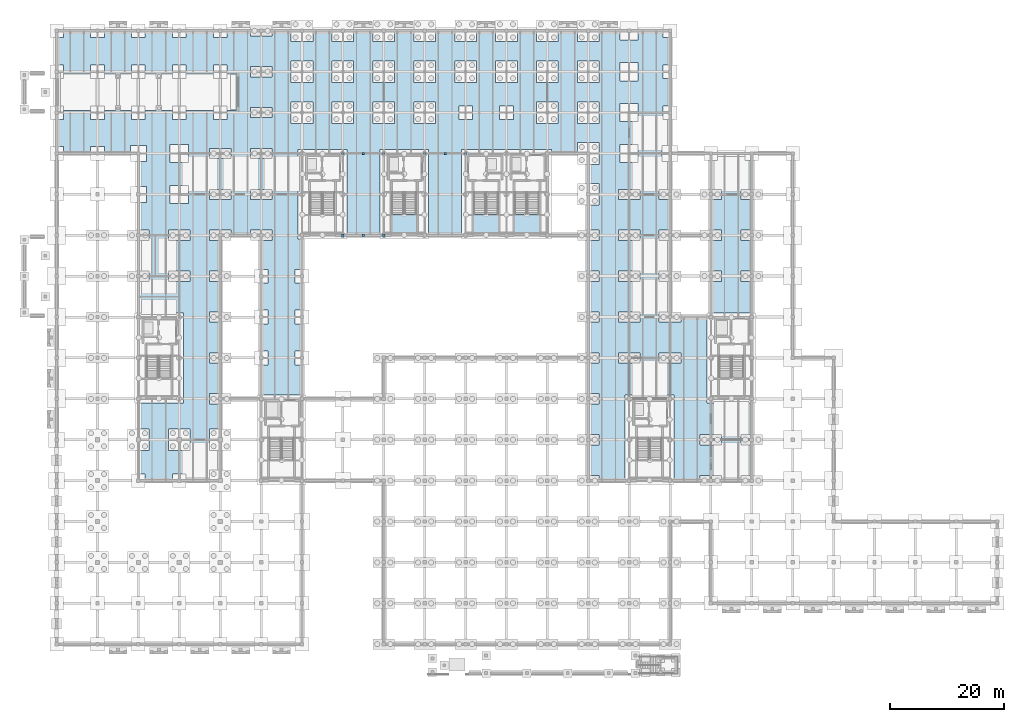
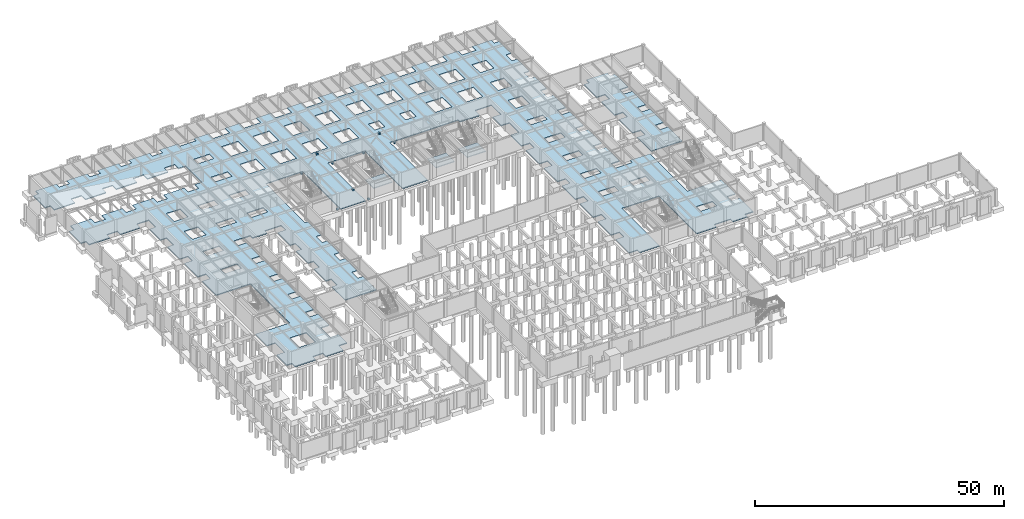
# One storey, part 29 of 46: 9 plates, 5 slabs, 3 elements without a shape of their own.
"""IFC4 building model written with IfcOpenShell, lengths in metres."""

import ifcopenshell
import ifcopenshell.guid

model = None  # the IFC model being written
_history = None  # IfcOwnerHistory: only IFC2X3 demands one
_inside = {}  # id of a spatial element -> (the spatial element, [elements in it])
_under = {}  # id of a project, library or spatial element -> (it, [spatial elements below it])
_declared = {}  # id of a project -> (the project, [libraries it declares])
_typed = {}  # id of a type object -> (the type object, [elements of that type])
_made_of = {}  # id of a material, layer set ... -> (it, [elements and type objects made of it])


def new_model(schema):
    """Start an empty IFC model of exactly this schema.

    Asked for "IFC4X3", IfcOpenShell would pick the latest addendum, in which some entities
    have other attributes; the version numbers below select the first issue.
    IFC2X3 requires an IfcOwnerHistory on every rooted entity: one is made here for all.
    """
    global model, _history
    if schema == "IFC4X3":
        model = ifcopenshell.file(schema_version=(4, 3, 0, 0))
    else:
        model = ifcopenshell.file(schema=schema)
    _inside.clear()
    _under.clear()
    _declared.clear()
    _typed.clear()
    _made_of.clear()
    _history = None
    if model.schema == "IFC2X3":
        org = make("IfcOrganization", Name="unknown")
        user = make(
            "IfcPersonAndOrganization",
            ThePerson=make("IfcPerson", FamilyName="unknown"),
            TheOrganization=org,
        )
        app = make(
            "IfcApplication",
            ApplicationDeveloper=org,
            Version="unknown",
            ApplicationFullName="unknown",
            ApplicationIdentifier="unknown",
        )
        _history = make(
            "IfcOwnerHistory",
            OwningUser=user,
            OwningApplication=app,
            ChangeAction="ADDED",
            CreationDate=0,
        )
    return model


def make(cls, **values):
    """One entity of the class cls with the attributes given. An attribute that is None is left unset."""
    return model.create_entity(
        cls, **{name: value for name, value in values.items() if value is not None}
    )


def rooted(cls, **values):
    """An entity with a GlobalId (a new one), such as an element, a storey or a relation."""
    return make(cls, GlobalId=ifcopenshell.guid.new(), OwnerHistory=_history, **values)


def si_unit(unit_type, name, prefix=None):
    """IfcSIUnit, for example si_unit("LENGTHUNIT", "METRE", prefix="MILLI")."""
    return make("IfcSIUnit", UnitType=unit_type, Prefix=prefix, Name=name)


def assignment(units):
    """IfcUnitAssignment: the units of a project."""
    return None if units is None else make("IfcUnitAssignment", Units=units)


def point(xyz):
    """IfcCartesianPoint."""
    return None if xyz is None else make("IfcCartesianPoint", Coordinates=xyz)


def direction(xyz):
    """IfcDirection."""
    return None if xyz is None else make("IfcDirection", DirectionRatios=xyz)


def frame(location, z_axis=None, x_axis=None):
    """IfcAxis2Placement3D, a coordinate frame: its origin and axes. An axis left out is left unset."""
    return make(
        "IfcAxis2Placement3D",
        Location=point(location),
        Axis=direction(z_axis),
        RefDirection=direction(x_axis),
    )


def frame_2d(location, x_axis=None):
    """IfcAxis2Placement2D, a coordinate frame in the plane: its origin and x axis."""
    return make(
        "IfcAxis2Placement2D", Location=point(location), RefDirection=direction(x_axis)
    )


def origin():
    """The frame at (0, 0, 0) with its axes left unset."""
    return frame((0.0, 0.0, 0.0))


def origin_2d():
    """The frame at (0, 0) in the plane with its x axis left unset."""
    return frame_2d((0.0, 0.0))


def place(relative_to, where):
    """IfcLocalPlacement: puts the frame where relative to a parent placement (None: the world)."""
    return make(
        "IfcLocalPlacement", PlacementRelTo=relative_to, RelativePlacement=where
    )


def context(
    kind, dimensions, precision=None, world=None, true_north=None, identifier=None
):
    """IfcGeometricRepresentationContext, for example the 3D "Model" context."""
    return make(
        "IfcGeometricRepresentationContext",
        ContextIdentifier=identifier,
        ContextType=kind,
        CoordinateSpaceDimension=dimensions,
        Precision=precision,
        WorldCoordinateSystem=world,
        TrueNorth=true_north,
    )


def subcontext(parent, identifier, kind, view, scale=None):
    """IfcGeometricRepresentationSubContext, for example "Body" below "Model"."""
    return make(
        "IfcGeometricRepresentationSubContext",
        ContextIdentifier=identifier,
        ContextType=kind,
        ParentContext=parent,
        TargetScale=scale,
        TargetView=view,
    )


def project(units=None, contexts=None):
    """IfcProject with its units and contexts."""
    return rooted(
        "IfcProject",
        Name="project",
        RepresentationContexts=contexts,
        UnitsInContext=assignment(units),
    )


def spatial(cls, under=None, at=None, **own):
    """A site, building, storey or space (cls), placed at a placement, below another one or the project."""
    s = rooted(cls, ObjectPlacement=at, **own)
    if under is not None:
        _under.setdefault(under.id(), (under, []))[1].append(s)
    return s


def polyline(points):
    """IfcPolyline through the points."""
    return make("IfcPolyline", Points=[point(p) for p in points])


def profile(cls, at=None, kind="AREA", **sizes):
    """A parametric profile (cls). Its sizes go by their IFC names, for example OverallWidth=200.0."""
    return make(cls, ProfileType=kind, Position=at, **sizes)


def rectangle(**sizes):
    """IfcRectangleProfileDef."""
    return profile("IfcRectangleProfileDef", **sizes)


def outline(outer, holes=None, kind="AREA"):
    """IfcArbitraryClosedProfileDef: a profile drawn as a closed curve; with holes, ...WithVoids."""
    if holes is None:
        return make("IfcArbitraryClosedProfileDef", ProfileType=kind, OuterCurve=outer)
    return make(
        "IfcArbitraryProfileDefWithVoids",
        ProfileType=kind,
        OuterCurve=outer,
        InnerCurves=holes,
    )


def extrude(swept, where, along, depth):
    """IfcExtrudedAreaSolid: the profile swept, set in the frame where, extruded along a direction by depth."""
    return make(
        "IfcExtrudedAreaSolid",
        SweptArea=swept,
        Position=where,
        ExtrudedDirection=direction(along),
        Depth=depth,
    )


def shape(context_of_items, identifier, shape_type, items):
    """IfcShapeRepresentation: the items that make up one representation, for example the "Body"."""
    return make(
        "IfcShapeRepresentation",
        ContextOfItems=context_of_items,
        RepresentationIdentifier=identifier,
        RepresentationType=shape_type,
        Items=items,
    )


def material(Name=None, Category=None):
    """IfcMaterial."""
    return make("IfcMaterial", Name=Name, Category=Category)


def layer(
    of_material, thickness, ventilated=None, Name=None, Category=None, Priority=None
):
    """IfcMaterialLayer: one layer of a wall or slab, of a material (None: an air gap)."""
    return make(
        "IfcMaterialLayer",
        Material=of_material,
        LayerThickness=thickness,
        IsVentilated=ventilated,
        Name=Name,
        Category=Category,
        Priority=Priority,
    )


def layer_set(layers, Name=None):
    """IfcMaterialLayerSet."""
    return make("IfcMaterialLayerSet", MaterialLayers=layers, LayerSetName=Name)


def made_of(thing, what):
    """Note that an element or type object is made of a material, layer set ...; save() writes the relation."""
    if what is not None:
        _made_of.setdefault(what.id(), (what, []))[1].append(thing)
    return thing


def type_object(cls, material=None, **own):
    """A type object (cls), such as IfcWallType, which elements share."""
    return made_of(rooted(cls, **own), material)


def element(
    cls,
    number,
    at=None,
    inside=None,
    cuts=None,
    type_object=None,
    material=None,
    context=None,
    identifier="Body",
    shape_type=None,
    held_by="IfcProductDefinitionShape",
    body=None,
    shapes=None,
    **own,
):
    """One element of the class cls, such as IfcWall. Its Tag is "e" and its number.

    at: its placement. inside: the storey or other place that contains it. cuts: it is an
    opening in that element (IfcRelVoidsElement). A single representation is given by context,
    identifier, shape_type and body (its items); several are given by shapes. held_by: the class
    of the entity that holds the representations. save() writes the other relations.
    """
    e = rooted(cls, Tag="e%d" % number, ObjectPlacement=at, **own)
    if body is not None:
        shapes = [shape(context, identifier, shape_type, body)]
    if shapes is not None:
        e.Representation = make(held_by, Representations=shapes)
    if inside is not None:
        _inside.setdefault(inside.id(), (inside, []))[1].append(e)
    if cuts is not None:
        rooted(
            "IfcRelVoidsElement", RelatingBuildingElement=cuts, RelatedOpeningElement=e
        )
    if type_object is not None:
        _typed.setdefault(type_object.id(), (type_object, []))[1].append(e)
    return made_of(e, material)


def aggregate(whole, parts):
    """IfcRelAggregates: a whole, such as a stair, and the parts it consists of."""
    return rooted("IfcRelAggregates", RelatingObject=whole, RelatedObjects=parts)


def save(model, path):
    """Write the relations noted so far, then the file.

    IfcRelAggregates (storeys below a building ...), IfcRelContainedInSpatialStructure (elements
    in a storey), IfcRelDefinesByType, IfcRelAssociatesMaterial and IfcRelDeclares: one each for
    every whole, place, type object, material and project.
    """
    for whole, parts in _under.values():
        aggregate(whole, parts)
    for where, things in _inside.values():
        rooted(
            "IfcRelContainedInSpatialStructure",
            RelatedElements=things,
            RelatingStructure=where,
        )
    for kind, things in _typed.values():
        rooted("IfcRelDefinesByType", RelatedObjects=things, RelatingType=kind)
    for what, things in _made_of.values():
        rooted("IfcRelAssociatesMaterial", RelatedObjects=things, RelatingMaterial=what)
    for by, libraries in _declared.values():
        rooted("IfcRelDeclares", RelatingContext=by, RelatedDefinitions=libraries)
    model.write(path)


model = new_model("IFC4")

# Units and contexts
model_context = context("Model", 3, precision=1e-05, world=origin(), true_north=direction((0.0, 1.0)))
body_context = subcontext(model_context, "Body", "Model", "MODEL_VIEW")
ifc_project = project(units=[si_unit("LENGTHUNIT", "METRE"), si_unit("AREAUNIT", "SQUARE_METRE"), si_unit("VOLUMEUNIT", "CUBIC_METRE"), si_unit("PLANEANGLEUNIT", "RADIAN"), si_unit("MASSUNIT", "GRAM", prefix="KILO")], contexts=[model_context])

# Site, building, storey
site_placement = place(None, origin())
site = spatial("IfcSite", under=ifc_project, at=site_placement, CompositionType="ELEMENT")
building_placement = place(site_placement, origin())
building = spatial("IfcBuilding", under=site, at=building_placement, Name="Sillqori Civic Hall", CompositionType="ELEMENT")
storey_placement = place(building_placement, frame((0.0, 0.0, -4.199951171875)))
storey = spatial("IfcBuildingStorey", under=building, at=storey_placement, Name="B01", CompositionType="ELEMENT", Elevation=-4.199951171875)

# Plates
ifc_material_1 = material(Name="Steel ASTM A36", Category="steel")
plate_type = type_object("IfcPlateType", Name="PLT-GUSSET-20", PredefinedType="SHEET", material=ifc_material_1)
for number, where, z_axis, x_axis, name in (
    (1, (61.199951171875, 79.199951171875, 3.52001953125), (0.0, 0.0, 1.0), (1.0, 0.0, 0.0), "B01 chevron brace node plate APX"),
    (2, (57.60009765625, 79.199951171875, -0.0302734375), (0.0, 0.0, 1.0), (1.0, 0.0, 0.0), "B01 chevron brace node plate BSL"),
    (3, (64.800048828125, 79.199951171875, -0.0302734375), (0.0, 0.0, 1.0), (1.0, 0.0, 0.0), "B01 chevron brace node plate BSR"),
    (4, (61.199951171875, 93.60009765625, 3.52001953125), (0.0, 0.0, 1.0), (1.0, 0.0, 0.0), "B01 chevron brace node plate APX"),
    (5, (57.60009765625, 93.60009765625, -0.0302734375), (0.0, 0.0, 1.0), (1.0, 0.0, 0.0), "B01 chevron brace node plate BSL"),
    (6, (64.800048828125, 93.60009765625, -0.0302734375), (0.0, 0.0, 1.0), (1.0, 0.0, 0.0), "B01 chevron brace node plate BSR"),
    (7, (75.60009765625, 93.60009765625, 3.52001953125), (0.0, 0.0, 1.0), (1.0, 0.0, 0.0), "B01 chevron brace node plate APX"),
    (8, (72.0, 93.60009765625, -0.0302734375), (0.0, 0.0, 1.0), (1.0, 0.0, 0.0), "B01 chevron brace node plate BSL"),
    (9, (79.199951171875, 93.60009765625, -0.0302734375), (0.0, 0.0, 1.0), (1.0, 0.0, 0.0), "B01 chevron brace node plate BSR"),
):
    element("IfcPlate", number, at=place(storey_placement, frame(where, z_axis=z_axis, x_axis=x_axis)), inside=storey, type_object=plate_type, Name=name, PredefinedType="SHEET", context=body_context, shape_type="SweptSolid", body=[
        extrude(rectangle(XDim=0.419921875, YDim=0.419921875, at=origin_2d()), origin(), (0.0, 0.0, 1.0), 0.360107421875),
    ])

# Slabs
ifc_material_2 = material(Name="Concrete C35/45 (H35)", Category="concrete")
ifc_layer_1 = layer(ifc_material_2, 0.219970703125)
ifc_layer_set_1 = layer_set([ifc_layer_1], Name="Concrete C35/45 (H35)")
slab_type_1 = type_object("IfcSlabType", Name="SLB-BASE-220", PredefinedType="BASESLAB", material=ifc_layer_set_1)
slab_1_placement = place(storey_placement, frame((0.0, 0.0, -0.219970703125)))
element("IfcSlab", 10, at=slab_1_placement, inside=storey, type_object=slab_type_1, Name="B01 structural base slab 1", PredefinedType="BASESLAB", context=body_context, shape_type="SweptSolid", body=[
    extrude(outline(polyline([(21.60009765625, 71.10009765625), (23.5, 71.10009765625), (23.5, 72.89990234375), (21.60009765625, 72.89990234375), (21.60009765625, 78.300048828125), (23.5, 78.300048828125), (23.5, 80.10009765625), (21.60009765625, 80.10009765625), (21.60009765625, 85.0), (23.0, 85.0), (23.0, 87.800048828125), (21.60009765625, 87.800048828125), (21.60009765625, 92.199951171875), (23.0, 92.199951171875), (23.0, 95.0), (20.199951171875, 95.0), (20.199951171875, 93.60009765625), (15.60009765625, 93.60009765625), (15.60009765625, 94.800048828125), (13.199951171875, 94.800048828125), (13.199951171875, 93.60009765625), (8.39990234375, 93.60009765625), (8.39990234375, 94.800048828125), (7.199951171875, 94.800048828125), (7.199951171875, 99.60009765625), (8.39990234375, 99.60009765625), (8.39990234375, 101.14990234375), (13.199951171875, 101.14990234375), (13.199951171875, 99.60009765625), (15.60009765625, 99.60009765625), (15.60009765625, 101.14990234375), (20.39990234375, 101.14990234375), (20.39990234375, 99.60009765625), (22.800048828125, 99.60009765625), (22.800048828125, 101.14990234375), (27.60009765625, 101.14990234375), (27.60009765625, 99.60009765625), (30.0, 99.60009765625), (30.0, 101.14990234375), (34.800048828125, 101.14990234375), (34.800048828125, 99.60009765625), (37.199951171875, 99.60009765625), (37.199951171875, 101.14990234375), (38.85009765625, 101.14990234375), (38.85009765625, 107.64990234375), (37.199951171875, 107.64990234375), (37.199951171875, 109.199951171875), (34.800048828125, 109.199951171875), (34.800048828125, 107.64990234375), (30.0, 107.64990234375), (30.0, 109.199951171875), (27.60009765625, 109.199951171875), (27.60009765625, 107.64990234375), (22.800048828125, 107.64990234375), (22.800048828125, 109.199951171875), (20.39990234375, 109.199951171875), (20.39990234375, 107.64990234375), (15.60009765625, 107.64990234375), (15.60009765625, 109.199951171875), (13.199951171875, 109.199951171875), (13.199951171875, 107.64990234375), (8.39990234375, 107.64990234375), (8.39990234375, 109.199951171875), (7.199951171875, 109.199951171875), (7.199951171875, 114.0), (8.39990234375, 114.0), (8.39990234375, 115.199951171875), (13.199951171875, 115.199951171875), (13.199951171875, 114.0), (15.60009765625, 114.0), (15.60009765625, 115.199951171875), (20.39990234375, 115.199951171875), (20.39990234375, 114.0), (22.800048828125, 114.0), (22.800048828125, 115.199951171875), (27.60009765625, 115.199951171875), (27.60009765625, 114.0), (30.0, 114.0), (30.0, 115.199951171875), (34.800048828125, 115.199951171875), (34.800048828125, 114.0), (37.199951171875, 114.0), (37.199951171875, 115.199951171875), (41.300048828125, 115.199951171875), (41.300048828125, 114.300048828125), (45.10009765625, 114.300048828125), (45.10009765625, 115.199951171875), (48.5, 115.199951171875), (48.5, 113.300048828125), (52.300048828125, 113.300048828125), (52.300048828125, 115.199951171875), (55.699951171875, 115.199951171875), (55.699951171875, 113.300048828125), (59.5, 113.300048828125), (59.5, 115.199951171875), (62.89990234375, 115.199951171875), (62.89990234375, 113.300048828125), (66.699951171875, 113.300048828125), (66.699951171875, 115.199951171875), (70.10009765625, 115.199951171875), (70.10009765625, 113.300048828125), (73.89990234375, 113.300048828125), (73.89990234375, 115.199951171875), (77.300048828125, 115.199951171875), (77.300048828125, 113.300048828125), (81.10009765625, 113.300048828125), (81.10009765625, 115.199951171875), (84.5, 115.199951171875), (84.5, 113.300048828125), (88.300048828125, 113.300048828125), (88.300048828125, 115.199951171875), (91.699951171875, 115.199951171875), (91.699951171875, 113.300048828125), (95.5, 113.300048828125), (95.5, 115.199951171875), (98.89990234375, 115.199951171875), (98.89990234375, 113.300048828125), (102.699951171875, 113.300048828125), (102.699951171875, 115.199951171875), (106.39990234375, 115.199951171875), (106.39990234375, 113.60009765625), (109.60009765625, 113.60009765625), (109.60009765625, 115.199951171875), (114.0, 115.199951171875), (114.0, 114.0), (115.199951171875, 114.0), (115.199951171875, 109.199951171875), (114.0, 109.199951171875), (114.0, 106.800048828125), (115.199951171875, 106.800048828125), (115.199951171875, 102.0), (114.0, 102.0), (114.0, 99.60009765625), (115.199951171875, 99.60009765625), (115.199951171875, 95.0), (113.800048828125, 95.0), (113.800048828125, 92.199951171875), (115.199951171875, 92.199951171875), (115.199951171875, 87.300048828125), (113.300048828125, 87.300048828125), (113.300048828125, 85.5), (115.199951171875, 85.5), (115.199951171875, 80.10009765625), (113.300048828125, 80.10009765625), (113.300048828125, 78.300048828125), (115.199951171875, 78.300048828125), (115.199951171875, 72.89990234375), (113.300048828125, 72.89990234375), (113.300048828125, 71.10009765625), (115.199951171875, 71.10009765625), (115.199951171875, 65.699951171875), (113.300048828125, 65.699951171875), (113.300048828125, 63.89990234375), (117.10009765625, 63.89990234375), (117.10009765625, 64.800048828125), (121.699951171875, 64.800048828125), (121.699951171875, 49.699951171875), (129.60009765625, 49.699951171875), (129.60009765625, 44.10009765625), (127.699951171875, 44.10009765625), (127.699951171875, 42.300048828125), (129.60009765625, 42.300048828125), (129.60009765625, 36.89990234375), (127.699951171875, 36.89990234375), (127.699951171875, 36.0), (124.300048828125, 36.0), (124.300048828125, 36.89990234375), (120.5, 36.89990234375), (120.5, 36.0), (115.89990234375, 36.0), (115.89990234375, 51.10009765625), (107.300048828125, 51.10009765625), (107.300048828125, 36.0), (102.699951171875, 36.0), (102.699951171875, 36.89990234375), (100.800048828125, 36.89990234375), (100.800048828125, 42.300048828125), (102.699951171875, 42.300048828125), (102.699951171875, 44.10009765625), (100.800048828125, 44.10009765625), (100.800048828125, 49.5), (102.699951171875, 49.5), (102.699951171875, 51.300048828125), (100.800048828125, 51.300048828125), (100.800048828125, 56.699951171875), (102.699951171875, 56.699951171875), (102.699951171875, 58.5), (100.800048828125, 58.5), (100.800048828125, 63.89990234375), (102.699951171875, 63.89990234375), (102.699951171875, 65.699951171875), (100.800048828125, 65.699951171875), (100.800048828125, 71.10009765625), (102.699951171875, 71.10009765625), (102.699951171875, 72.89990234375), (100.800048828125, 72.89990234375), (100.800048828125, 78.300048828125), (102.699951171875, 78.300048828125), (102.699951171875, 80.10009765625), (100.800048828125, 80.10009765625), (100.800048828125, 84.5), (102.699951171875, 84.5), (102.699951171875, 88.300048828125), (100.800048828125, 88.300048828125), (100.800048828125, 91.699951171875), (102.699951171875, 91.699951171875), (102.699951171875, 95.5), (98.89990234375, 95.5), (98.89990234375, 93.60009765625), (94.300048828125, 93.60009765625), (94.300048828125, 94.300048828125), (78.5, 94.300048828125), (78.5, 79.199951171875), (72.699951171875, 79.199951171875), (72.699951171875, 94.300048828125), (64.10009765625, 94.300048828125), (64.10009765625, 79.199951171875), (58.300048828125, 79.199951171875), (58.300048828125, 94.300048828125), (49.699951171875, 94.300048828125), (49.699951171875, 78.5), (50.39990234375, 78.5), (50.39990234375, 73.199951171875), (49.199951171875, 73.199951171875), (49.199951171875, 70.800048828125), (50.39990234375, 70.800048828125), (50.39990234375, 66.0), (49.199951171875, 66.0), (49.199951171875, 63.60009765625), (50.39990234375, 63.60009765625), (50.39990234375, 58.800048828125), (49.199951171875, 58.800048828125), (49.199951171875, 56.39990234375), (50.39990234375, 56.39990234375), (50.39990234375, 51.10009765625), (43.199951171875, 51.10009765625), (43.199951171875, 56.39990234375), (44.39990234375, 56.39990234375), (44.39990234375, 58.800048828125), (43.199951171875, 58.800048828125), (43.199951171875, 63.60009765625), (44.39990234375, 63.60009765625), (44.39990234375, 66.0), (43.199951171875, 66.0), (43.199951171875, 70.800048828125), (44.39990234375, 70.800048828125), (44.39990234375, 73.199951171875), (43.199951171875, 73.199951171875), (43.199951171875, 78.300048828125), (45.10009765625, 78.300048828125), (45.10009765625, 80.10009765625), (41.300048828125, 80.10009765625), (41.300048828125, 79.199951171875), (37.89990234375, 79.199951171875), (37.89990234375, 80.10009765625), (34.10009765625, 80.10009765625), (34.10009765625, 78.300048828125), (36.0, 78.300048828125), (36.0, 72.89990234375), (34.10009765625, 72.89990234375), (34.10009765625, 71.10009765625), (36.0, 71.10009765625), (36.0, 65.699951171875), (34.10009765625, 65.699951171875), (34.10009765625, 63.89990234375), (36.0, 63.89990234375), (36.0, 58.5), (34.10009765625, 58.5), (34.10009765625, 56.699951171875), (36.0, 56.699951171875), (36.0, 51.300048828125), (34.10009765625, 51.300048828125), (34.10009765625, 49.5), (36.0, 49.5), (36.0, 45.10009765625), (34.10009765625, 45.10009765625), (34.10009765625, 41.300048828125), (36.0, 41.300048828125), (36.0, 37.89990234375), (34.10009765625, 37.89990234375), (34.10009765625, 36.0), (30.0, 36.0), (30.0, 37.199951171875), (27.60009765625, 37.199951171875), (27.60009765625, 36.0), (22.800048828125, 36.0), (22.800048828125, 37.199951171875), (21.60009765625, 37.199951171875), (21.60009765625, 41.300048828125), (23.5, 41.300048828125), (23.5, 45.10009765625), (21.60009765625, 45.10009765625), (21.60009765625, 49.699951171875), (29.5, 49.699951171875), (29.5, 65.5), (21.60009765625, 65.5), (21.60009765625, 71.10009765625)]), holes=[polyline([(30.699951171875, 45.10009765625), (26.89990234375, 45.10009765625), (26.89990234375, 41.300048828125), (30.699951171875, 41.300048828125), (30.699951171875, 45.10009765625)]), polyline([(30.699951171875, 72.89990234375), (26.89990234375, 72.89990234375), (26.89990234375, 71.10009765625), (30.699951171875, 71.10009765625), (30.699951171875, 72.89990234375)]), polyline([(30.699951171875, 80.10009765625), (26.89990234375, 80.10009765625), (26.89990234375, 78.300048828125), (30.699951171875, 78.300048828125), (30.699951171875, 80.10009765625)]), polyline([(37.89990234375, 87.300048828125), (34.10009765625, 87.300048828125), (34.10009765625, 85.5), (37.89990234375, 85.5), (37.89990234375, 87.300048828125)]), polyline([(30.39990234375, 88.0), (27.199951171875, 88.0), (27.199951171875, 84.800048828125), (30.39990234375, 84.800048828125), (30.39990234375, 88.0)]), polyline([(45.10009765625, 87.300048828125), (41.300048828125, 87.300048828125), (41.300048828125, 85.5), (45.10009765625, 85.5), (45.10009765625, 87.300048828125)]), polyline([(37.89990234375, 94.5), (34.10009765625, 94.5), (34.10009765625, 92.699951171875), (37.89990234375, 92.699951171875), (37.89990234375, 94.5)]), polyline([(30.39990234375, 95.199951171875), (27.199951171875, 95.199951171875), (27.199951171875, 92.0), (30.39990234375, 92.0), (30.39990234375, 95.199951171875)]), polyline([(45.10009765625, 94.5), (41.300048828125, 94.5), (41.300048828125, 92.699951171875), (45.10009765625, 92.699951171875), (45.10009765625, 94.5)]), polyline([(45.10009765625, 101.699951171875), (41.300048828125, 101.699951171875), (41.300048828125, 99.89990234375), (45.10009765625, 99.89990234375), (45.10009765625, 101.699951171875)]), polyline([(45.10009765625, 108.89990234375), (41.300048828125, 108.89990234375), (41.300048828125, 107.10009765625), (45.10009765625, 107.10009765625), (45.10009765625, 108.89990234375)]), polyline([(66.699951171875, 102.699951171875), (62.89990234375, 102.699951171875), (62.89990234375, 98.89990234375), (66.699951171875, 98.89990234375), (66.699951171875, 102.699951171875)]), polyline([(59.5, 102.699951171875), (55.699951171875, 102.699951171875), (55.699951171875, 98.89990234375), (59.5, 98.89990234375), (59.5, 102.699951171875)]), polyline([(73.89990234375, 102.699951171875), (70.10009765625, 102.699951171875), (70.10009765625, 98.89990234375), (73.89990234375, 98.89990234375), (73.89990234375, 102.699951171875)]), polyline([(52.300048828125, 102.699951171875), (48.5, 102.699951171875), (48.5, 98.89990234375), (52.300048828125, 98.89990234375), (52.300048828125, 102.699951171875)]), polyline([(66.699951171875, 109.89990234375), (62.89990234375, 109.89990234375), (62.89990234375, 106.10009765625), (66.699951171875, 106.10009765625), (66.699951171875, 109.89990234375)]), polyline([(59.5, 109.89990234375), (55.699951171875, 109.89990234375), (55.699951171875, 106.10009765625), (59.5, 106.10009765625), (59.5, 109.89990234375)]), polyline([(52.300048828125, 109.89990234375), (48.5, 109.89990234375), (48.5, 106.10009765625), (52.300048828125, 106.10009765625), (52.300048828125, 109.89990234375)]), polyline([(73.89990234375, 109.89990234375), (70.10009765625, 109.89990234375), (70.10009765625, 106.10009765625), (73.89990234375, 106.10009765625), (73.89990234375, 109.89990234375)]), polyline([(95.5, 102.699951171875), (91.699951171875, 102.699951171875), (91.699951171875, 98.89990234375), (95.5, 98.89990234375), (95.5, 102.699951171875)]), polyline([(102.699951171875, 102.699951171875), (98.89990234375, 102.699951171875), (98.89990234375, 98.89990234375), (102.699951171875, 98.89990234375), (102.699951171875, 102.699951171875)]), polyline([(87.60009765625, 102.0), (85.199951171875, 102.0), (85.199951171875, 99.60009765625), (87.60009765625, 99.60009765625), (87.60009765625, 102.0)]), polyline([(80.39990234375, 102.0), (78.0, 102.0), (78.0, 99.60009765625), (80.39990234375, 99.60009765625), (80.39990234375, 102.0)]), polyline([(95.5, 109.89990234375), (91.699951171875, 109.89990234375), (91.699951171875, 106.10009765625), (95.5, 106.10009765625), (95.5, 109.89990234375)]), polyline([(102.699951171875, 109.89990234375), (98.89990234375, 109.89990234375), (98.89990234375, 106.10009765625), (102.699951171875, 106.10009765625), (102.699951171875, 109.89990234375)]), polyline([(81.10009765625, 109.89990234375), (77.300048828125, 109.89990234375), (77.300048828125, 106.10009765625), (81.10009765625, 106.10009765625), (81.10009765625, 109.89990234375)]), polyline([(88.300048828125, 109.89990234375), (84.5, 109.89990234375), (84.5, 106.10009765625), (88.300048828125, 106.10009765625), (88.300048828125, 109.89990234375)]), polyline([(124.300048828125, 44.10009765625), (120.5, 44.10009765625), (120.5, 42.300048828125), (124.300048828125, 42.300048828125), (124.300048828125, 44.10009765625)]), polyline([(117.10009765625, 58.5), (113.300048828125, 58.5), (113.300048828125, 56.699951171875), (117.10009765625, 56.699951171875), (117.10009765625, 58.5)]), polyline([(109.89990234375, 58.5), (106.10009765625, 58.5), (106.10009765625, 56.699951171875), (109.89990234375, 56.699951171875), (109.89990234375, 58.5)]), polyline([(109.89990234375, 65.699951171875), (106.10009765625, 65.699951171875), (106.10009765625, 63.89990234375), (109.89990234375, 63.89990234375), (109.89990234375, 65.699951171875)]), polyline([(109.89990234375, 72.89990234375), (106.10009765625, 72.89990234375), (106.10009765625, 71.10009765625), (109.89990234375, 71.10009765625), (109.89990234375, 72.89990234375)]), polyline([(109.89990234375, 80.10009765625), (106.10009765625, 80.10009765625), (106.10009765625, 78.300048828125), (109.89990234375, 78.300048828125), (109.89990234375, 80.10009765625)]), polyline([(109.89990234375, 87.300048828125), (106.10009765625, 87.300048828125), (106.10009765625, 85.5), (109.89990234375, 85.5), (109.89990234375, 87.300048828125)]), polyline([(109.60009765625, 95.199951171875), (106.39990234375, 95.199951171875), (106.39990234375, 92.0), (109.60009765625, 92.0), (109.60009765625, 95.199951171875)]), polyline([(109.60009765625, 102.39990234375), (106.39990234375, 102.39990234375), (106.39990234375, 99.199951171875), (109.60009765625, 99.199951171875), (109.60009765625, 102.39990234375)]), polyline([(109.60009765625, 109.60009765625), (106.39990234375, 109.60009765625), (106.39990234375, 106.39990234375), (109.60009765625, 106.39990234375), (109.60009765625, 109.60009765625)])]), origin(), (0.0, 0.0, 1.0), 0.219970703125),
])
slab_2_placement = place(storey_placement, frame((0.0, 0.0, -0.219970703125)))
element("IfcSlab", 11, at=slab_2_placement, inside=storey, type_object=slab_type_1, Name="B01 structural base slab 3", PredefinedType="BASESLAB", context=body_context, shape_type="SweptSolid", body=[
    extrude(outline(polyline([(122.39990234375, 71.10009765625), (124.300048828125, 71.10009765625), (124.300048828125, 72.89990234375), (122.39990234375, 72.89990234375), (122.39990234375, 78.300048828125), (124.300048828125, 78.300048828125), (124.300048828125, 80.10009765625), (122.39990234375, 80.10009765625), (122.39990234375, 85.5), (124.300048828125, 85.5), (124.300048828125, 87.300048828125), (122.39990234375, 87.300048828125), (122.39990234375, 92.39990234375), (123.60009765625, 92.39990234375), (123.60009765625, 93.60009765625), (128.39990234375, 93.60009765625), (128.39990234375, 92.39990234375), (129.60009765625, 92.39990234375), (129.60009765625, 87.300048828125), (127.699951171875, 87.300048828125), (127.699951171875, 85.5), (129.60009765625, 85.5), (129.60009765625, 80.10009765625), (127.699951171875, 80.10009765625), (127.699951171875, 78.300048828125), (129.60009765625, 78.300048828125), (129.60009765625, 72.89990234375), (127.699951171875, 72.89990234375), (127.699951171875, 71.10009765625), (129.60009765625, 71.10009765625), (129.60009765625, 65.5), (122.39990234375, 65.5), (122.39990234375, 71.10009765625)])), origin(), (0.0, 0.0, 1.0), 0.219970703125),
])

# Stair, slab
stair_type_1 = type_object("IfcStairType", Name="STR-CORE-06", PredefinedType="DOUBLE_RETURN_STAIR", material=ifc_material_2)
stair_1_placement = place(storey_placement, origin())
stair_1 = element("IfcStair", 12, at=stair_1_placement, inside=storey, type_object=stair_type_1, Name="B01 Core exit stair ST-06", PredefinedType="DOUBLE_RETURN_STAIR")
ifc_layer_2 = layer(ifc_material_2, 0.199951171875)
ifc_layer_set_2 = layer_set([ifc_layer_2], Name="Concrete C35/45 (H35)")
slab_type_2 = type_object("IfcSlabType", Name="SLB-LND-220", PredefinedType="LANDING", material=ifc_layer_set_2)
slab_3_placement = place(storey_placement, frame((0.0, 0.0, 1.89990234375)))
slab_3 = element("IfcSlab", 13, at=slab_3_placement, type_object=slab_type_2, Name="ST-06 landing 1", PredefinedType="LANDING", context=body_context, shape_type="SweptSolid", body=[
    extrude(outline(polyline([(66.22509765625, 82.929931640625), (66.22509765625, 79.514892578125), (70.574951171875, 79.514892578125), (70.574951171875, 82.929931640625), (66.22509765625, 82.929931640625)])), origin(), (0.0, 0.0, 1.0), 0.199951171875),
])
aggregate(stair_1, [slab_3])

stair_type_2 = type_object("IfcStairType", Name="STR-CORE-07", PredefinedType="DOUBLE_RETURN_STAIR", material=ifc_material_2)
stair_2_placement = place(storey_placement, origin())
stair_2 = element("IfcStair", 14, at=stair_2_placement, inside=storey, type_object=stair_type_2, Name="B01 Core exit stair ST-07", PredefinedType="DOUBLE_RETURN_STAIR")
slab_4_placement = place(storey_placement, frame((0.0, 0.0, 1.89990234375)))
slab_4 = element("IfcSlab", 15, at=slab_4_placement, type_object=slab_type_2, Name="ST-07 landing 1", PredefinedType="LANDING", context=body_context, shape_type="SweptSolid", body=[
    extrude(outline(polyline([(80.625, 82.929931640625), (80.625, 79.514892578125), (84.97509765625, 79.514892578125), (84.97509765625, 82.929931640625), (80.625, 82.929931640625)])), origin(), (0.0, 0.0, 1.0), 0.199951171875),
])
aggregate(stair_2, [slab_4])

stair_type_3 = type_object("IfcStairType", Name="STR-CORE-08", PredefinedType="DOUBLE_RETURN_STAIR", material=ifc_material_2)
stair_3_placement = place(storey_placement, origin())
stair_3 = element("IfcStair", 16, at=stair_3_placement, inside=storey, type_object=stair_type_3, Name="B01 Core exit stair ST-08", PredefinedType="DOUBLE_RETURN_STAIR")
slab_5_placement = place(storey_placement, frame((0.0, 0.0, 1.89990234375)))
slab_5 = element("IfcSlab", 17, at=slab_5_placement, type_object=slab_type_2, Name="ST-08 landing 1", PredefinedType="LANDING", context=body_context, shape_type="SweptSolid", body=[
    extrude(outline(polyline([(87.824951171875, 82.929931640625), (87.824951171875, 79.514892578125), (92.175048828125, 79.514892578125), (92.175048828125, 82.929931640625), (87.824951171875, 82.929931640625)])), origin(), (0.0, 0.0, 1.0), 0.199951171875),
])
aggregate(stair_3, [slab_5])

save(model, "model.ifc")
